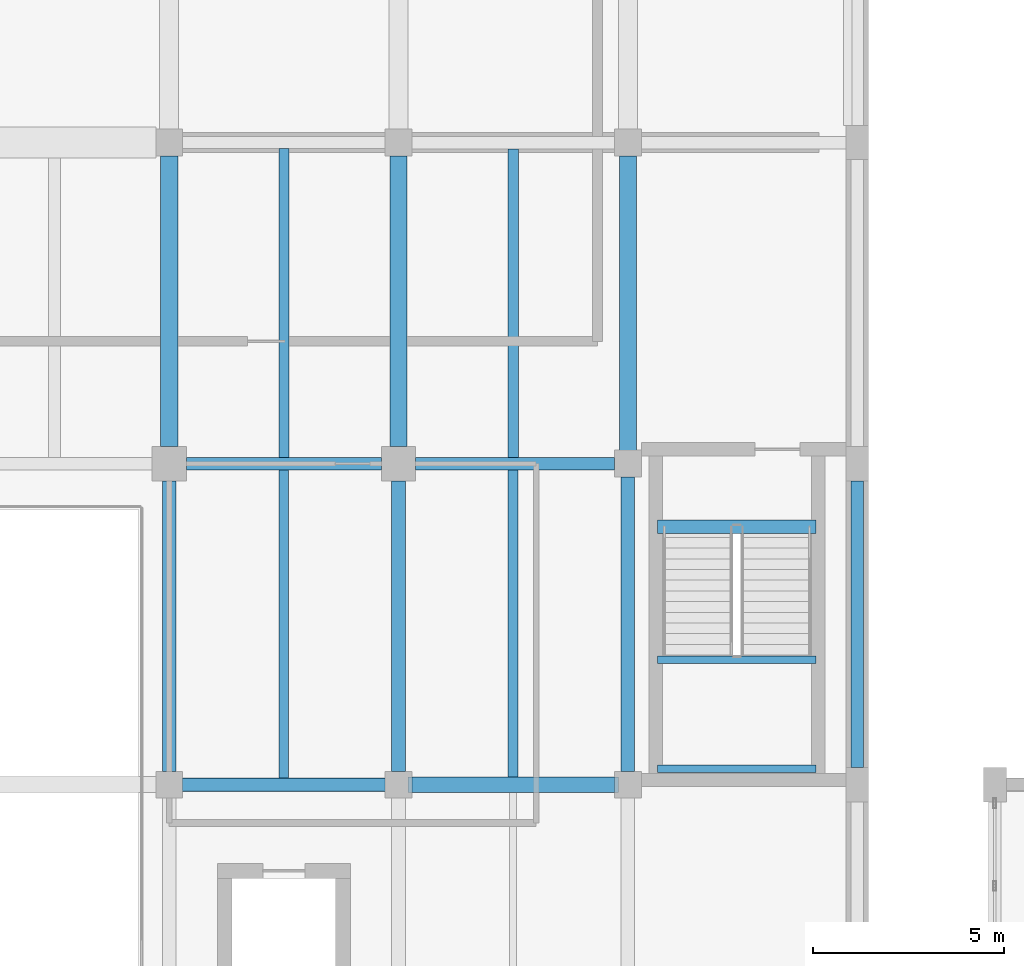
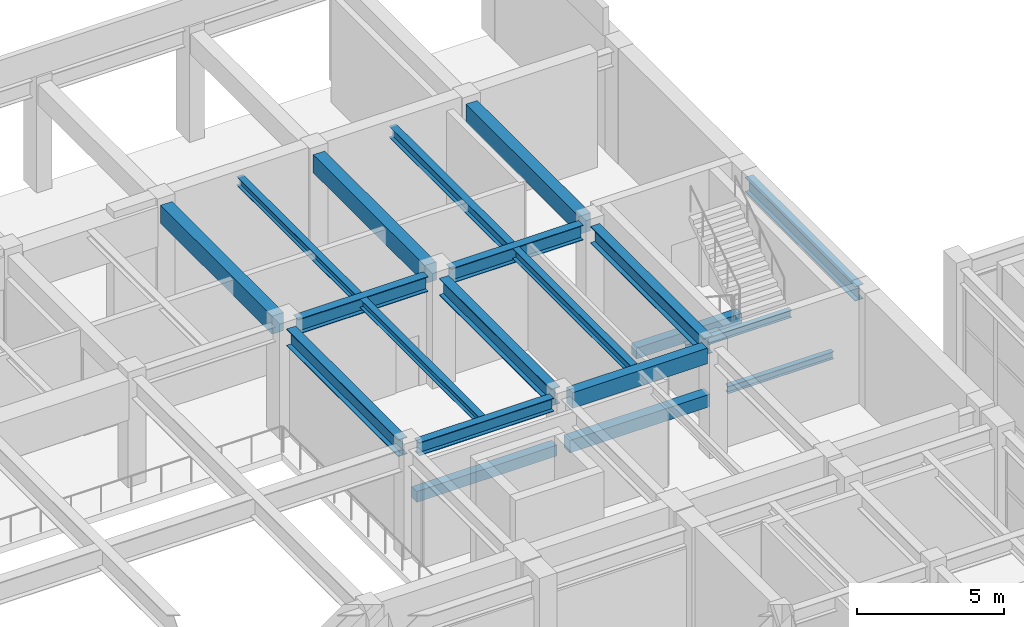
# One storey, part 47 of 85: 20 beams.
"""IFC4 building model written with IfcOpenShell, lengths in metres."""

from ifc_helpers import new_model, si_unit, direction, frame, origin, origin_2d, place, context, subcontext, project, spatial, rectangle, i_section, extrude, material, material_profile, profile_set, type_object, element, save


model = new_model("IFC4")

# Units and contexts
model_context = context("Model", 3, precision=1e-05, world=origin(), true_north=direction((0.0, 1.0)))
body_context = subcontext(model_context, "Body", "Model", "MODEL_VIEW")
ifc_project = project(units=[si_unit("LENGTHUNIT", "METRE"), si_unit("AREAUNIT", "SQUARE_METRE"), si_unit("VOLUMEUNIT", "CUBIC_METRE"), si_unit("PLANEANGLEUNIT", "RADIAN"), si_unit("MASSUNIT", "GRAM", prefix="KILO")], contexts=[model_context])

# Site, building, storey
site_placement = place(None, origin())
site = spatial("IfcSite", under=ifc_project, at=site_placement, CompositionType="ELEMENT")
building_placement = place(site_placement, origin())
building = spatial("IfcBuilding", under=site, at=building_placement, Name="Vaelkrest Opera House", CompositionType="ELEMENT")
storey_placement = place(building_placement, frame((0.0, 0.0, 10.199951171875)))
storey = spatial("IfcBuildingStorey", under=building, at=storey_placement, Name="L02", CompositionType="ELEMENT", Elevation=10.199951171875)

# Beams
ifc_material_1 = material(Name="Concrete C50/60", Category="concrete")
ifc_material_profile_1 = material_profile(ifc_material_1, rectangle(XDim=0.39990234375, YDim=0.64990234375, at=origin_2d()), Name="RCB400X650")
ifc_profile_set_1 = profile_set([ifc_material_profile_1], Name="Concrete C50/60")
beam_type_1 = type_object("IfcBeamType", Name="B01", PredefinedType="BEAM", material=ifc_profile_set_1)
beam_1_placement = place(storey_placement, frame((18.35009765625, 25.199951171875, 4.179931640625), z_axis=(1.0, 0.0, 0.0), x_axis=(0.0, 1.0, 0.0)))
element("IfcBeam", 1, at=beam_1_placement, inside=storey, type_object=beam_type_1, Name="Beam BM-V2-L02-0965", PredefinedType="BEAM", context=body_context, shape_type="SweptSolid", body=[
    extrude(rectangle(XDim=0.39990234375, YDim=0.64990234375, at=origin_2d()), origin(), (0.0, 0.0, 1.0), 5.2998046875),
])
ifc_material_profile_2 = material_profile(ifc_material_1, rectangle(XDim=0.449951171875, YDim=0.75, at=origin_2d()), Name="RCB450X750")
ifc_profile_set_2 = profile_set([ifc_material_profile_2], Name="Concrete C50/60")
beam_type_2 = type_object("IfcBeamType", Name="B02", PredefinedType="BEAM", material=ifc_profile_set_2)
for number, where, z_axis, x_axis, name in (
    (2, (12.0, 34.050048828125, 4.130126953125), (0.0, 1.0, 0.0), (-1.0, 0.0, 0.0), "Beam BM-V2-L02-1007"),
    (3, (18.0, 34.050048828125, 4.130126953125), (0.0, 1.0, 0.0), (-1.0, 0.0, 0.0), "Beam BM-V2-L02-1011"),
):
    element("IfcBeam", number, at=place(storey_placement, frame(where, z_axis=z_axis, x_axis=x_axis)), inside=storey, type_object=beam_type_2, Name=name, PredefinedType="BEAM", context=body_context, shape_type="SweptSolid", body=[
        extrude(rectangle(XDim=0.449951171875, YDim=0.75, at=origin_2d()), origin(), (0.0, 0.0, 1.0), 7.599853515625),
    ])
beam_2_placement = place(storey_placement, frame((24.0, 33.949951171875, 4.130126953125), z_axis=(0.0, 1.0, 0.0), x_axis=(-1.0, 0.0, 0.0)))
element("IfcBeam", 4, at=beam_2_placement, inside=storey, type_object=beam_type_2, Name="Beam BM-V2-L02-1015", PredefinedType="BEAM", context=body_context, shape_type="SweptSolid", body=[
    extrude(rectangle(XDim=0.449951171875, YDim=0.75, at=origin_2d()), origin(), (0.0, 0.0, 1.0), 7.699951171875),
])
ifc_material_2 = material(Name="Steel A992 Gr50", Category="steel")
ifc_material_profile_3 = material_profile(ifc_material_2, i_section(OverallWidth=0.327880859375, OverallDepth=0.6279296875, WebThickness=0.0166015625, FlangeThickness=0.027587890625, at=origin_2d()), Name="W24X146")
ifc_profile_set_3 = profile_set([ifc_material_profile_3], Name="Steel A992 Gr50")
beam_type_3 = type_object("IfcBeamType", Name="B09", PredefinedType="BEAM", material=ifc_profile_set_3)
beam_3_placement = place(storey_placement, frame((12.449951171875, 33.60009765625, 4.191162109375), z_axis=(1.0, 0.0, 0.0), x_axis=(0.0, 1.0, 0.0)))
element("IfcBeam", 5, at=beam_3_placement, inside=storey, type_object=beam_type_3, Name="Beam BM-V2-L02-0970", PredefinedType="BEAM", context=body_context, shape_type="SweptSolid", body=[
    extrude(i_section(OverallWidth=0.327880859375, OverallDepth=0.6279296875, WebThickness=0.0166015625, FlangeThickness=0.027587890625, at=origin_2d()), origin(), (0.0, 0.0, 1.0), 5.10009765625),
])
ifc_material_profile_4 = material_profile(ifc_material_2, i_section(OverallWidth=0.35791015625, OverallDepth=0.7060546875, WebThickness=0.018310546875, FlangeThickness=0.0302734375, at=origin_2d()), Name="W27X178")
ifc_profile_set_4 = profile_set([ifc_material_profile_4], Name="Steel A992 Gr50")
beam_type_4 = type_object("IfcBeamType", Name="B14", PredefinedType="BEAM", material=ifc_profile_set_4)
for number, where, z_axis, x_axis, name in (
    (6, (12.0, 25.550048828125, 4.152099609375), (0.0, 1.0, 0.0), (-1.0, 0.0, 0.0), "Beam BM-V2-L02-1006"),
    (7, (18.0, 25.550048828125, 4.152099609375), (0.0, 1.0, 0.0), (-1.0, 0.0, 0.0), "Beam BM-V2-L02-1010"),
):
    element("IfcBeam", number, at=place(storey_placement, frame(where, z_axis=z_axis, x_axis=x_axis)), inside=storey, type_object=beam_type_4, Name=name, PredefinedType="BEAM", context=body_context, shape_type="SweptSolid", body=[
        extrude(i_section(OverallWidth=0.35791015625, OverallDepth=0.7060546875, WebThickness=0.018310546875, FlangeThickness=0.0302734375, at=origin_2d()), origin(), (0.0, 0.0, 1.0), 7.599853515625),
    ])
beam_4_placement = place(storey_placement, frame((24.0, 25.550048828125, 4.152099609375), z_axis=(0.0, 1.0, 0.0), x_axis=(-1.0, 0.0, 0.0)))
element("IfcBeam", 8, at=beam_4_placement, inside=storey, type_object=beam_type_4, Name="Beam BM-V2-L02-1014", PredefinedType="BEAM", context=body_context, shape_type="SweptSolid", body=[
    extrude(i_section(OverallWidth=0.35791015625, OverallDepth=0.7060546875, WebThickness=0.018310546875, FlangeThickness=0.0302734375, at=origin_2d()), origin(), (0.0, 0.0, 1.0), 7.699951171875),
])
ifc_material_profile_5 = material_profile(ifc_material_2, i_section(OverallWidth=0.326904296875, OverallDepth=0.6220703125, WebThickness=0.015380859375, FlangeThickness=0.0244140625, at=origin_2d()), Name="W24X131")
ifc_profile_set_5 = profile_set([ifc_material_profile_5], Name="Steel A992 Gr50")
beam_type_5 = type_object("IfcBeamType", Name="B19", PredefinedType="BEAM", material=ifc_profile_set_5)
beam_5_placement = place(storey_placement, frame((18.449951171875, 33.60009765625, 4.194091796875), z_axis=(1.0, 0.0, 0.0), x_axis=(0.0, 1.0, 0.0)))
element("IfcBeam", 9, at=beam_5_placement, inside=storey, type_object=beam_type_5, Name="Beam BM-V2-L02-0971", PredefinedType="BEAM", context=body_context, shape_type="SweptSolid", body=[
    extrude(i_section(OverallWidth=0.326904296875, OverallDepth=0.6220703125, WebThickness=0.015380859375, FlangeThickness=0.0244140625, at=origin_2d()), origin(), (0.0, 0.0, 1.0), 5.199951171875),
])
ifc_material_profile_6 = material_profile(ifc_material_2, i_section(OverallWidth=0.31494140625, OverallDepth=0.551025390625, WebThickness=0.01513671875, FlangeThickness=0.0244140625, at=origin_2d()), Name="W21X122")
ifc_profile_set_6 = profile_set([ifc_material_profile_6], Name="Steel A992 Gr50")
beam_type_6 = type_object("IfcBeamType", Name="B20", PredefinedType="BEAM", material=ifc_profile_set_6)
beam_6_placement = place(storey_placement, frame((12.35009765625, 25.199951171875, 4.2294921875), z_axis=(1.0, 0.0, 0.0), x_axis=(0.0, 1.0, 0.0)))
element("IfcBeam", 10, at=beam_6_placement, inside=storey, type_object=beam_type_6, Name="Beam BM-V2-L02-0964", PredefinedType="BEAM", context=body_context, shape_type="SweptSolid", body=[
    extrude(i_section(OverallWidth=0.31494140625, OverallDepth=0.551025390625, WebThickness=0.01513671875, FlangeThickness=0.0244140625, at=origin_2d()), origin(), (0.0, 0.0, 1.0), 5.2998046875),
])
ifc_material_profile_7 = material_profile(ifc_material_2, i_section(OverallWidth=0.202880859375, OverallDepth=0.302978515625, WebThickness=0.007568359375, FlangeThickness=0.01318359375, at=origin_2d()), Name="W12X40")
ifc_profile_set_7 = profile_set([ifc_material_profile_7], Name="Steel A992 Gr50")
beam_type_7 = type_object("IfcBeamType", Name="J02", PredefinedType="JOIST", material=ifc_profile_set_7)
for number, where, z_axis, x_axis, name in (
    (11, (24.780029296875, 25.6201171875, 2.048583984375), (1.0, 0.0, 0.0), (0.0, 1.0, 0.0), "Stair landing bearer beam ST06 L02-1N"),
    (12, (24.780029296875, 28.469970703125, 2.048583984375), (1.0, 0.0, 0.0), (0.0, 1.0, 0.0), "Stair landing bearer beam ST06 L02-1F"),
):
    element("IfcBeam", number, at=place(storey_placement, frame(where, z_axis=z_axis, x_axis=x_axis)), inside=storey, type_object=beam_type_7, Name=name, PredefinedType="JOIST", context=body_context, shape_type="SweptSolid", body=[
        extrude(i_section(OverallWidth=0.202880859375, OverallDepth=0.302978515625, WebThickness=0.007568359375, FlangeThickness=0.01318359375, at=origin_2d()), origin(), (0.0, 0.0, 1.0), 4.139892578125),
    ])
ifc_material_profile_8 = material_profile(ifc_material_2, i_section(OverallWidth=0.2548828125, OverallDepth=0.35693359375, WebThickness=0.010498046875, FlangeThickness=0.018310546875, at=origin_2d()), Name="W14X68")
ifc_profile_set_8 = profile_set([ifc_material_profile_8], Name="Steel A992 Gr50")
beam_type_8 = type_object("IfcBeamType", Name="J05", PredefinedType="JOIST", material=ifc_profile_set_8)
beam_7_placement = place(storey_placement, frame((15.0, 25.357421875, 4.32666015625), z_axis=(0.0, 1.0, 0.0), x_axis=(-1.0, 0.0, 0.0)))
element("IfcBeam", 13, at=beam_7_placement, inside=storey, type_object=beam_type_8, Name="Floor joist JST-V2-L02-1025", PredefinedType="JOIST", context=body_context, shape_type="SweptSolid", body=[
    extrude(i_section(OverallWidth=0.2548828125, OverallDepth=0.35693359375, WebThickness=0.010498046875, FlangeThickness=0.018310546875, at=origin_2d()), origin(), (0.0, 0.0, 1.0), 8.07861328125),
])
ifc_material_profile_9 = material_profile(ifc_material_2, i_section(OverallWidth=0.257080078125, OverallDepth=0.363037109375, WebThickness=0.012939453125, FlangeThickness=0.021728515625, at=origin_2d()), Name="W14X82")
ifc_profile_set_9 = profile_set([ifc_material_profile_9], Name="Steel A992 Gr50")
beam_type_9 = type_object("IfcBeamType", Name="J06", PredefinedType="JOIST", material=ifc_profile_set_9)
beam_8_placement = place(storey_placement, frame((15.0, 33.763916015625, 4.323486328125), z_axis=(0.0, 1.0, 0.0), x_axis=(-1.0, 0.0, 0.0)))
element("IfcBeam", 14, at=beam_8_placement, inside=storey, type_object=beam_type_9, Name="Floor joist JST-V2-L02-1026", PredefinedType="JOIST", context=body_context, shape_type="SweptSolid", body=[
    extrude(i_section(OverallWidth=0.257080078125, OverallDepth=0.363037109375, WebThickness=0.012939453125, FlangeThickness=0.021728515625, at=origin_2d()), origin(), (0.0, 0.0, 1.0), 8.073974609375),
])
ifc_material_profile_10 = material_profile(ifc_material_2, i_section(OverallWidth=0.261962890625, OverallDepth=0.4189453125, WebThickness=0.01171875, FlangeThickness=0.019287109375, at=origin_2d()), Name="W16X77")
ifc_profile_set_10 = profile_set([ifc_material_profile_10], Name="Steel A992 Gr50")
beam_type_10 = type_object("IfcBeamType", Name="J08", PredefinedType="JOIST", material=ifc_profile_set_10)
beam_9_placement = place(storey_placement, frame((21.0, 25.39990234375, 4.295654296875), z_axis=(0.0, 1.0, 0.0), x_axis=(-1.0, 0.0, 0.0)))
element("IfcBeam", 15, at=beam_9_placement, inside=storey, type_object=beam_type_10, Name="Floor joist JST-V2-L02-1028", PredefinedType="JOIST", context=body_context, shape_type="SweptSolid", body=[
    extrude(i_section(OverallWidth=0.261962890625, OverallDepth=0.4189453125, WebThickness=0.01171875, FlangeThickness=0.019287109375, at=origin_2d()), origin(), (0.0, 0.0, 1.0), 8.03662109375),
])
ifc_material_profile_11 = material_profile(ifc_material_2, i_section(OverallWidth=0.280029296875, OverallDepth=0.462890625, WebThickness=0.0107421875, FlangeThickness=0.017333984375, at=origin_2d()), Name="W18X76")
ifc_profile_set_11 = profile_set([ifc_material_profile_11], Name="Steel A992 Gr50")
beam_type_11 = type_object("IfcBeamType", Name="J09", PredefinedType="JOIST", material=ifc_profile_set_11)
beam_10_placement = place(storey_placement, frame((21.0, 33.763427734375, 4.2734375), z_axis=(0.0, 1.0, 0.0), x_axis=(-1.0, 0.0, 0.0)))
element("IfcBeam", 16, at=beam_10_placement, inside=storey, type_object=beam_type_11, Name="Floor joist JST-V2-L02-1029", PredefinedType="JOIST", context=body_context, shape_type="SweptSolid", body=[
    extrude(i_section(OverallWidth=0.280029296875, OverallDepth=0.462890625, WebThickness=0.0107421875, FlangeThickness=0.017333984375, at=origin_2d()), origin(), (0.0, 0.0, 1.0), 8.072509765625),
])
ifc_material_profile_12 = material_profile(ifc_material_1, rectangle(XDim=0.35009765625, YDim=0.449951171875, at=origin_2d()), Name="RCB350X450")
ifc_profile_set_12 = profile_set([ifc_material_profile_12], Name="Concrete C50/60")
beam_type_12 = type_object("IfcBeamType", Name="LN01", PredefinedType="LINTEL", material=ifc_profile_set_12)
beam_11_placement = place(storey_placement, frame((12.25, 25.199951171875, 2.300048828125), z_axis=(1.0, 0.0, 0.0), x_axis=(0.0, 1.0, 0.0)))
element("IfcBeam", 17, at=beam_11_placement, inside=storey, type_object=beam_type_12, Name="Portal lintel L02-1", PredefinedType="LINTEL", context=body_context, shape_type="SweptSolid", body=[
    extrude(rectangle(XDim=0.35009765625, YDim=0.449951171875, at=origin_2d()), origin(), (0.0, 0.0, 1.0), 5.5),
])
beam_12_placement = place(storey_placement, frame((24.780029296875, 31.949951171875, -0.224853515625), z_axis=(1.0, 0.0, 0.0), x_axis=(0.0, 1.0, 0.0)))
element("IfcBeam", 18, at=beam_12_placement, inside=storey, type_object=beam_type_12, Name="Stairwell trimmer beam ST06 L02", PredefinedType="LINTEL", context=body_context, shape_type="SweptSolid", body=[
    extrude(rectangle(XDim=0.35009765625, YDim=0.449951171875, at=origin_2d()), origin(), (0.0, 0.0, 1.0), 4.139892578125),
])
ifc_material_profile_13 = material_profile(ifc_material_1, rectangle(XDim=0.39990234375, YDim=0.52001953125, at=origin_2d()), Name="RCB400X520")
ifc_profile_set_13 = profile_set([ifc_material_profile_13], Name="Concrete C50/60")
beam_type_13 = type_object("IfcBeamType", Name="LN02", PredefinedType="LINTEL", material=ifc_profile_set_13)
beam_13_placement = place(storey_placement, frame((18.25, 25.199951171875, 2.300048828125), z_axis=(1.0, 0.0, 0.0), x_axis=(0.0, 1.0, 0.0)))
element("IfcBeam", 19, at=beam_13_placement, inside=storey, type_object=beam_type_13, Name="Portal lintel L02-2", PredefinedType="LINTEL", context=body_context, shape_type="SweptSolid", body=[
    extrude(rectangle(XDim=0.39990234375, YDim=0.52001953125, at=origin_2d()), origin(), (0.0, 0.0, 1.0), 5.5),
])
ifc_material_profile_14 = material_profile(ifc_material_2, i_section(OverallWidth=0.323974609375, OverallDepth=0.611083984375, WebThickness=0.0126953125, FlangeThickness=0.01904296875, at=origin_2d()), Name="W24X104")
ifc_profile_set_14 = profile_set([ifc_material_profile_14], Name="Steel A992 Gr50")
beam_type_14 = type_object("IfcBeamType", Name="SP01", PredefinedType="SPANDREL", material=ifc_profile_set_14)
beam_14_placement = place(storey_placement, frame((30.0, 25.64990234375, 4.199462890625), z_axis=(0.0, 1.0, 0.0), x_axis=(-1.0, 0.0, 0.0)))
element("IfcBeam", 20, at=beam_14_placement, inside=storey, type_object=beam_type_14, Name="Beam BM-V2-L02-1018", PredefinedType="SPANDREL", context=body_context, shape_type="SweptSolid", body=[
    extrude(i_section(OverallWidth=0.323974609375, OverallDepth=0.611083984375, WebThickness=0.0126953125, FlangeThickness=0.01904296875, at=origin_2d()), origin(), (0.0, 0.0, 1.0), 7.5),
])

save(model, "model.ifc")
